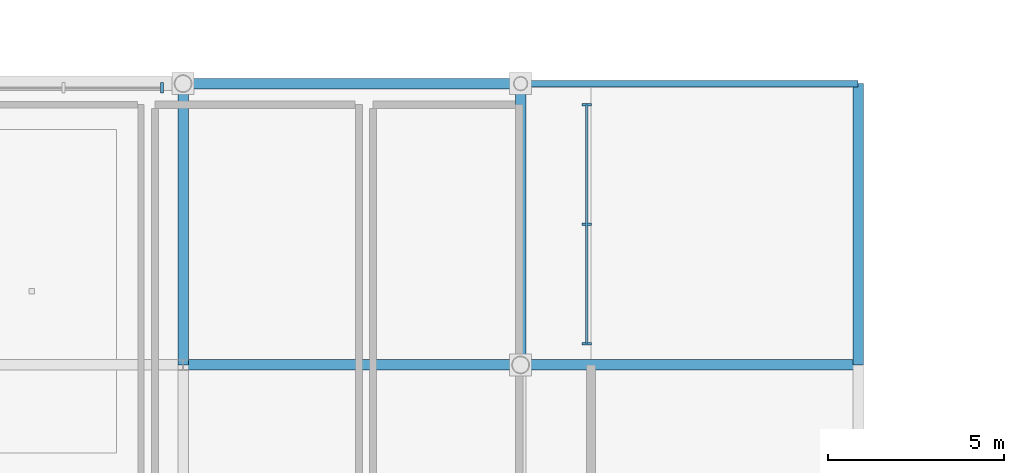
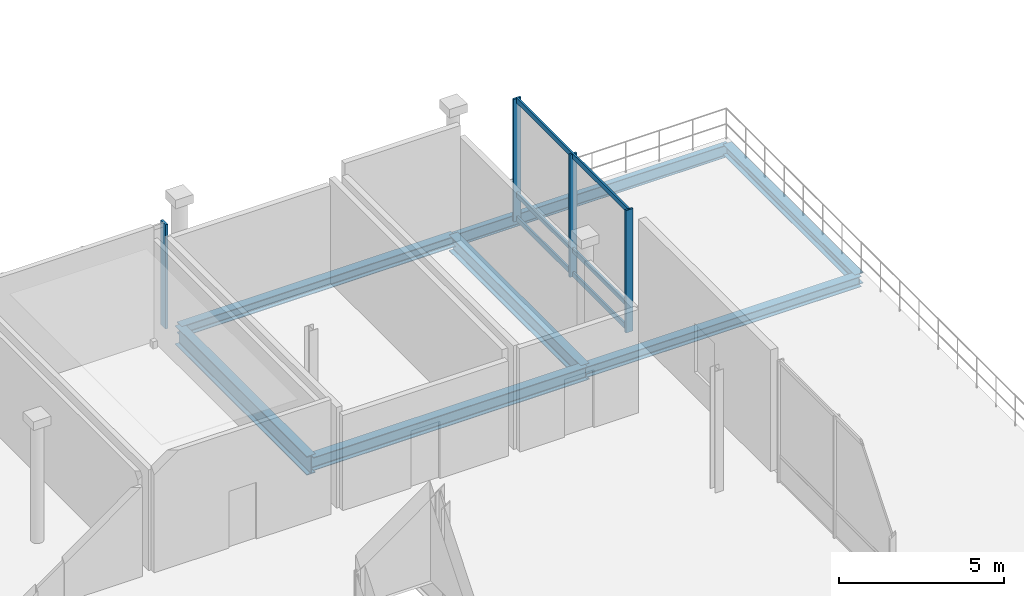
# One storey, part 19 of 36: 7 beams, 7 members, 2 elements without a shape of their own.
"""IFC4 building model written with IfcOpenShell, lengths in metres."""

import ifcopenshell
import ifcopenshell.guid

model = None  # the IFC model being written
_history = None  # IfcOwnerHistory: only IFC2X3 demands one
_inside = {}  # id of a spatial element -> (the spatial element, [elements in it])
_under = {}  # id of a project, library or spatial element -> (it, [spatial elements below it])
_declared = {}  # id of a project -> (the project, [libraries it declares])
_typed = {}  # id of a type object -> (the type object, [elements of that type])
_made_of = {}  # id of a material, layer set ... -> (it, [elements and type objects made of it])


def new_model(schema):
    """Start an empty IFC model of exactly this schema.

    Asked for "IFC4X3", IfcOpenShell would pick the latest addendum, in which some entities
    have other attributes; the version numbers below select the first issue.
    IFC2X3 requires an IfcOwnerHistory on every rooted entity: one is made here for all.
    """
    global model, _history
    if schema == "IFC4X3":
        model = ifcopenshell.file(schema_version=(4, 3, 0, 0))
    else:
        model = ifcopenshell.file(schema=schema)
    _inside.clear()
    _under.clear()
    _declared.clear()
    _typed.clear()
    _made_of.clear()
    _history = None
    if model.schema == "IFC2X3":
        org = make("IfcOrganization", Name="unknown")
        user = make(
            "IfcPersonAndOrganization",
            ThePerson=make("IfcPerson", FamilyName="unknown"),
            TheOrganization=org,
        )
        app = make(
            "IfcApplication",
            ApplicationDeveloper=org,
            Version="unknown",
            ApplicationFullName="unknown",
            ApplicationIdentifier="unknown",
        )
        _history = make(
            "IfcOwnerHistory",
            OwningUser=user,
            OwningApplication=app,
            ChangeAction="ADDED",
            CreationDate=0,
        )
    return model


def make(cls, **values):
    """One entity of the class cls with the attributes given. An attribute that is None is left unset."""
    return model.create_entity(
        cls, **{name: value for name, value in values.items() if value is not None}
    )


def rooted(cls, **values):
    """An entity with a GlobalId (a new one), such as an element, a storey or a relation."""
    return make(cls, GlobalId=ifcopenshell.guid.new(), OwnerHistory=_history, **values)


def si_unit(unit_type, name, prefix=None):
    """IfcSIUnit, for example si_unit("LENGTHUNIT", "METRE", prefix="MILLI")."""
    return make("IfcSIUnit", UnitType=unit_type, Prefix=prefix, Name=name)


def assignment(units):
    """IfcUnitAssignment: the units of a project."""
    return None if units is None else make("IfcUnitAssignment", Units=units)


def point(xyz):
    """IfcCartesianPoint."""
    return None if xyz is None else make("IfcCartesianPoint", Coordinates=xyz)


def direction(xyz):
    """IfcDirection."""
    return None if xyz is None else make("IfcDirection", DirectionRatios=xyz)


def frame(location, z_axis=None, x_axis=None):
    """IfcAxis2Placement3D, a coordinate frame: its origin and axes. An axis left out is left unset."""
    return make(
        "IfcAxis2Placement3D",
        Location=point(location),
        Axis=direction(z_axis),
        RefDirection=direction(x_axis),
    )


def frame_2d(location, x_axis=None):
    """IfcAxis2Placement2D, a coordinate frame in the plane: its origin and x axis."""
    return make(
        "IfcAxis2Placement2D", Location=point(location), RefDirection=direction(x_axis)
    )


def origin():
    """The frame at (0, 0, 0) with its axes left unset."""
    return frame((0.0, 0.0, 0.0))


def origin_2d():
    """The frame at (0, 0) in the plane with its x axis left unset."""
    return frame_2d((0.0, 0.0))


def place(relative_to, where):
    """IfcLocalPlacement: puts the frame where relative to a parent placement (None: the world)."""
    return make(
        "IfcLocalPlacement", PlacementRelTo=relative_to, RelativePlacement=where
    )


def context(
    kind, dimensions, precision=None, world=None, true_north=None, identifier=None
):
    """IfcGeometricRepresentationContext, for example the 3D "Model" context."""
    return make(
        "IfcGeometricRepresentationContext",
        ContextIdentifier=identifier,
        ContextType=kind,
        CoordinateSpaceDimension=dimensions,
        Precision=precision,
        WorldCoordinateSystem=world,
        TrueNorth=true_north,
    )


def subcontext(parent, identifier, kind, view, scale=None):
    """IfcGeometricRepresentationSubContext, for example "Body" below "Model"."""
    return make(
        "IfcGeometricRepresentationSubContext",
        ContextIdentifier=identifier,
        ContextType=kind,
        ParentContext=parent,
        TargetScale=scale,
        TargetView=view,
    )


def project(units=None, contexts=None):
    """IfcProject with its units and contexts."""
    return rooted(
        "IfcProject",
        Name="project",
        RepresentationContexts=contexts,
        UnitsInContext=assignment(units),
    )


def spatial(cls, under=None, at=None, **own):
    """A site, building, storey or space (cls), placed at a placement, below another one or the project."""
    s = rooted(cls, ObjectPlacement=at, **own)
    if under is not None:
        _under.setdefault(under.id(), (under, []))[1].append(s)
    return s


def profile(cls, at=None, kind="AREA", **sizes):
    """A parametric profile (cls). Its sizes go by their IFC names, for example OverallWidth=200.0."""
    return make(cls, ProfileType=kind, Position=at, **sizes)


def rectangle(**sizes):
    """IfcRectangleProfileDef."""
    return profile("IfcRectangleProfileDef", **sizes)


def i_section(**sizes):
    """IfcIShapeProfileDef."""
    return profile("IfcIShapeProfileDef", **sizes)


def extrude(swept, where, along, depth):
    """IfcExtrudedAreaSolid: the profile swept, set in the frame where, extruded along a direction by depth."""
    return make(
        "IfcExtrudedAreaSolid",
        SweptArea=swept,
        Position=where,
        ExtrudedDirection=direction(along),
        Depth=depth,
    )


def shape(context_of_items, identifier, shape_type, items):
    """IfcShapeRepresentation: the items that make up one representation, for example the "Body"."""
    return make(
        "IfcShapeRepresentation",
        ContextOfItems=context_of_items,
        RepresentationIdentifier=identifier,
        RepresentationType=shape_type,
        Items=items,
    )


def material(Name=None, Category=None):
    """IfcMaterial."""
    return make("IfcMaterial", Name=Name, Category=Category)


def material_profile(
    of_material, cross_section, Name=None, Category=None, Priority=None
):
    """IfcMaterialProfile: a cross section and its material."""
    return make(
        "IfcMaterialProfile",
        Name=Name,
        Material=of_material,
        Profile=cross_section,
        Priority=Priority,
        Category=Category,
    )


def profile_set(profiles, Name=None, composite=None):
    """IfcMaterialProfileSet."""
    return make(
        "IfcMaterialProfileSet",
        Name=Name,
        MaterialProfiles=profiles,
        CompositeProfile=composite,
    )


def made_of(thing, what):
    """Note that an element or type object is made of a material, layer set ...; save() writes the relation."""
    if what is not None:
        _made_of.setdefault(what.id(), (what, []))[1].append(thing)
    return thing


def type_object(cls, material=None, **own):
    """A type object (cls), such as IfcWallType, which elements share."""
    return made_of(rooted(cls, **own), material)


def element(
    cls,
    number,
    at=None,
    inside=None,
    cuts=None,
    type_object=None,
    material=None,
    context=None,
    identifier="Body",
    shape_type=None,
    held_by="IfcProductDefinitionShape",
    body=None,
    shapes=None,
    **own,
):
    """One element of the class cls, such as IfcWall. Its Tag is "e" and its number.

    at: its placement. inside: the storey or other place that contains it. cuts: it is an
    opening in that element (IfcRelVoidsElement). A single representation is given by context,
    identifier, shape_type and body (its items); several are given by shapes. held_by: the class
    of the entity that holds the representations. save() writes the other relations.
    """
    e = rooted(cls, Tag="e%d" % number, ObjectPlacement=at, **own)
    if body is not None:
        shapes = [shape(context, identifier, shape_type, body)]
    if shapes is not None:
        e.Representation = make(held_by, Representations=shapes)
    if inside is not None:
        _inside.setdefault(inside.id(), (inside, []))[1].append(e)
    if cuts is not None:
        rooted(
            "IfcRelVoidsElement", RelatingBuildingElement=cuts, RelatedOpeningElement=e
        )
    if type_object is not None:
        _typed.setdefault(type_object.id(), (type_object, []))[1].append(e)
    return made_of(e, material)


def aggregate(whole, parts):
    """IfcRelAggregates: a whole, such as a stair, and the parts it consists of."""
    return rooted("IfcRelAggregates", RelatingObject=whole, RelatedObjects=parts)


def save(model, path):
    """Write the relations noted so far, then the file.

    IfcRelAggregates (storeys below a building ...), IfcRelContainedInSpatialStructure (elements
    in a storey), IfcRelDefinesByType, IfcRelAssociatesMaterial and IfcRelDeclares: one each for
    every whole, place, type object, material and project.
    """
    for whole, parts in _under.values():
        aggregate(whole, parts)
    for where, things in _inside.values():
        rooted(
            "IfcRelContainedInSpatialStructure",
            RelatedElements=things,
            RelatingStructure=where,
        )
    for kind, things in _typed.values():
        rooted("IfcRelDefinesByType", RelatedObjects=things, RelatingType=kind)
    for what, things in _made_of.values():
        rooted("IfcRelAssociatesMaterial", RelatedObjects=things, RelatingMaterial=what)
    for by, libraries in _declared.values():
        rooted("IfcRelDeclares", RelatingContext=by, RelatedDefinitions=libraries)
    model.write(path)


model = new_model("IFC4")

# Units and contexts
model_context = context("Model", 3, precision=1e-05, world=origin(), true_north=direction((0.0, 1.0)))
body_context = subcontext(model_context, "Body", "Model", "MODEL_VIEW")
ifc_project = project(units=[si_unit("LENGTHUNIT", "METRE"), si_unit("AREAUNIT", "SQUARE_METRE"), si_unit("VOLUMEUNIT", "CUBIC_METRE"), si_unit("PLANEANGLEUNIT", "RADIAN"), si_unit("MASSUNIT", "GRAM", prefix="KILO")], contexts=[model_context])

# Site, building, storey
site_placement = place(None, origin())
site = spatial("IfcSite", under=ifc_project, at=site_placement, CompositionType="ELEMENT")
building_placement = place(site_placement, origin())
building = spatial("IfcBuilding", under=site, at=building_placement, Name="Danafjord Basin Convention Centre", CompositionType="ELEMENT")
storey_placement = place(building_placement, frame((0.0, 0.0, 20.39990234375)))
storey = spatial("IfcBuildingStorey", under=building, at=storey_placement, Name="L04", CompositionType="ELEMENT", Elevation=20.39990234375)

# Beams
ifc_material_1 = material(Name="Steel S355", Category="steel")
ifc_material_profile_1 = material_profile(ifc_material_1, i_section(OverallWidth=0.300048828125, OverallDepth=0.389892578125, WebThickness=0.010986328125, FlangeThickness=0.01904296875, FilletRadius=0.027099609375, at=origin_2d()), Name="HEA 400")
ifc_profile_set_1 = profile_set([ifc_material_profile_1], Name="Steel S355")
beam_type_1 = type_object("IfcBeamType", Name="BEAM-BM-HEA400", PredefinedType="BEAM", material=ifc_profile_set_1)
beam_1_placement = place(storey_placement, frame((105.60009765625, 32.0, -0.4208984375), z_axis=(1.0, 0.0, 0.0), x_axis=(0.0, 1.0, 0.0)))
element("IfcBeam", 1, at=beam_1_placement, inside=storey, type_object=beam_type_1, Name="L04 girder BM-HEA400", PredefinedType="BEAM", context=body_context, shape_type="SweptSolid", body=[
    extrude(i_section(OverallWidth=0.300048828125, OverallDepth=0.389892578125, WebThickness=0.010986328125, FlangeThickness=0.01904296875, FilletRadius=0.027099609375, at=origin_2d()), origin(), (0.0, 0.0, 1.0), 9.599853515625),
])
ifc_material_profile_2 = material_profile(ifc_material_1, i_section(OverallWidth=0.300048828125, OverallDepth=0.489990234375, WebThickness=0.011962890625, FlangeThickness=0.02294921875, FilletRadius=0.027099609375, at=origin_2d()), Name="HEA 500")
ifc_profile_set_2 = profile_set([ifc_material_profile_2], Name="Steel S355")
beam_type_2 = type_object("IfcBeamType", Name="BEAM-BM-HEA500", PredefinedType="BEAM", material=ifc_profile_set_2)
beam_2_placement = place(storey_placement, frame((96.0, 32.0, -0.468994140625), z_axis=(1.0, 0.0, 0.0), x_axis=(0.0, 1.0, 0.0)))
element("IfcBeam", 2, at=beam_2_placement, inside=storey, type_object=beam_type_2, Name="L04 girder BM-HEA500", PredefinedType="BEAM", context=body_context, shape_type="SweptSolid", body=[
    extrude(i_section(OverallWidth=0.300048828125, OverallDepth=0.489990234375, WebThickness=0.011962890625, FlangeThickness=0.02294921875, FilletRadius=0.027099609375, at=origin_2d()), origin(), (0.0, 0.0, 1.0), 9.60009765625),
])
ifc_material_profile_3 = material_profile(ifc_material_1, i_section(OverallWidth=0.300048828125, OverallDepth=0.60009765625, WebThickness=0.015380859375, FlangeThickness=0.030029296875, FilletRadius=0.027099609375, at=origin_2d()), Name="HEB 600")
ifc_profile_set_3 = profile_set([ifc_material_profile_3], Name="Steel S355")
beam_type_3 = type_object("IfcBeamType", Name="BEAM-BM-HEB600", PredefinedType="BEAM", material=ifc_profile_set_3)
beam_3_placement = place(storey_placement, frame((105.60009765625, 32.0, -0.52392578125), z_axis=(0.0, 1.0, 0.0), x_axis=(-1.0, 0.0, 0.0)))
element("IfcBeam", 3, at=beam_3_placement, inside=storey, type_object=beam_type_3, Name="L04 transverse girder BM-HEB600", PredefinedType="BEAM", context=body_context, shape_type="SweptSolid", body=[
    extrude(i_section(OverallWidth=0.300048828125, OverallDepth=0.60009765625, WebThickness=0.015380859375, FlangeThickness=0.030029296875, FilletRadius=0.027099609375, at=origin_2d()), origin(), (0.0, 0.0, 1.0), 8.0),
])
ifc_material_profile_4 = material_profile(ifc_material_1, i_section(OverallWidth=0.300048828125, OverallDepth=0.699951171875, WebThickness=0.01708984375, FlangeThickness=0.031982421875, FilletRadius=0.027099609375, at=origin_2d()), Name="HEB 700")
ifc_profile_set_4 = profile_set([ifc_material_profile_4], Name="Steel S355")
beam_type_4 = type_object("IfcBeamType", Name="BEAM-BM-HEB700", PredefinedType="BEAM", material=ifc_profile_set_4)
beam_4_placement = place(storey_placement, frame((96.0, 32.0, -0.573974609375), z_axis=(0.0, 1.0, 0.0), x_axis=(-1.0, 0.0, 0.0)))
element("IfcBeam", 4, at=beam_4_placement, inside=storey, type_object=beam_type_4, Name="L04 transverse girder BM-HEB700", PredefinedType="BEAM", context=body_context, shape_type="SweptSolid", body=[
    extrude(i_section(OverallWidth=0.300048828125, OverallDepth=0.699951171875, WebThickness=0.01708984375, FlangeThickness=0.031982421875, FilletRadius=0.027099609375, at=origin_2d()), origin(), (0.0, 0.0, 1.0), 8.0),
])
ifc_material_profile_5 = material_profile(ifc_material_1, i_section(OverallWidth=0.300048828125, OverallDepth=0.39990234375, WebThickness=0.013427734375, FlangeThickness=0.02392578125, FilletRadius=0.027099609375, at=origin_2d()), Name="HEB 400")
ifc_profile_set_5 = profile_set([ifc_material_profile_5], Name="Steel S355")
beam_type_5 = type_object("IfcBeamType", Name="BEAM-SP-HEB400", PredefinedType="SPANDREL", material=ifc_profile_set_5)
beam_5_placement = place(storey_placement, frame((96.0, 40.0, -0.423828125), z_axis=(1.0, 0.0, 0.0), x_axis=(0.0, 1.0, 0.0)))
element("IfcBeam", 5, at=beam_5_placement, inside=storey, type_object=beam_type_5, Name="L04 girder SP-HEB400", PredefinedType="SPANDREL", context=body_context, shape_type="SweptSolid", body=[
    extrude(i_section(OverallWidth=0.300048828125, OverallDepth=0.39990234375, WebThickness=0.013427734375, FlangeThickness=0.02392578125, FilletRadius=0.027099609375, at=origin_2d()), origin(), (0.0, 0.0, 1.0), 9.60009765625),
])
beam_6_placement = place(storey_placement, frame((115.199951171875, 32.0, -0.42578125), z_axis=(0.0, 1.0, 0.0), x_axis=(-1.0, 0.0, 0.0)))
element("IfcBeam", 6, at=beam_6_placement, inside=storey, type_object=beam_type_5, Name="L04 transverse girder SP-HEB400", PredefinedType="SPANDREL", context=body_context, shape_type="SweptSolid", body=[
    extrude(i_section(OverallWidth=0.300048828125, OverallDepth=0.39990234375, WebThickness=0.013427734375, FlangeThickness=0.02392578125, FilletRadius=0.027099609375, at=origin_2d()), origin(), (0.0, 0.0, 1.0), 8.0),
])
ifc_material_profile_6 = material_profile(ifc_material_1, i_section(OverallWidth=0.18994140625, OverallDepth=0.449951171875, WebThickness=0.009521484375, FlangeThickness=0.0146484375, FilletRadius=0.02099609375, at=origin_2d()), Name="IPE 450")
ifc_profile_set_6 = profile_set([ifc_material_profile_6], Name="Steel S355")
beam_type_6 = type_object("IfcBeamType", Name="BEAM-SP-IPE450", PredefinedType="SPANDREL", material=ifc_profile_set_6)
beam_7_placement = place(storey_placement, frame((105.60009765625, 40.0, -0.450927734375), z_axis=(1.0, 0.0, 0.0), x_axis=(0.0, 1.0, 0.0)))
element("IfcBeam", 7, at=beam_7_placement, inside=storey, type_object=beam_type_6, Name="L04 girder SP-IPE450", PredefinedType="SPANDREL", context=body_context, shape_type="SweptSolid", body=[
    extrude(i_section(OverallWidth=0.18994140625, OverallDepth=0.449951171875, WebThickness=0.009521484375, FlangeThickness=0.0146484375, FilletRadius=0.02099609375, at=origin_2d()), origin(), (0.0, 0.0, 1.0), 9.599853515625),
])

# Curtain wall, members
ifc_material_2 = material(Name="Anodised aluminium and triple glazing", Category="aluminium")
curtain_wall_type = type_object("IfcCurtainWallType", Name="CW-CW-TERR", PredefinedType="NOTDEFINED", material=ifc_material_2)
curtain_wall_1_placement = place(storey_placement, origin())
curtain_wall_1 = element("IfcCurtainWall", 8, at=curtain_wall_1_placement, inside=storey, type_object=curtain_wall_type, Name="L04 CW-TERR unitised curtain wall bay 98", PredefinedType="NOTDEFINED")
ifc_material_3 = material(Name="Anodised aluminium EN AW-6060", Category="aluminium")
ifc_material_profile_7 = material_profile(ifc_material_3, rectangle(XDim=0.070068359375, YDim=0.260009765625, at=origin_2d()), Name="MULL 70x260")
ifc_profile_set_7 = profile_set([ifc_material_profile_7], Name="Anodised aluminium EN AW-6060")
member_type_1 = type_object("IfcMemberType", Name="MEM-ML-260", PredefinedType="MULLION", material=ifc_profile_set_7)
member_1_placement = place(storey_placement, frame((107.47998046875, 32.60009765625, -0.02490234375), z_axis=(0.0, 0.0, 1.0), x_axis=(0.0, 1.0, 0.0)))
member_1 = element("IfcMember", 9, at=member_1_placement, type_object=member_type_1, Name="CW-L04-098 mullion 1", PredefinedType="MULLION", context=body_context, shape_type="SweptSolid", body=[
    extrude(rectangle(XDim=0.070068359375, YDim=0.260009765625, at=origin_2d()), origin(), (0.0, 0.0, 1.0), 4.534912109375),
])
member_2_placement = place(storey_placement, frame((107.47998046875, 36.0, -0.02490234375), z_axis=(0.0, 0.0, 1.0), x_axis=(0.0, 1.0, 0.0)))
member_2 = element("IfcMember", 10, at=member_2_placement, type_object=member_type_1, Name="CW-L04-098 mullion 2", PredefinedType="MULLION", context=body_context, shape_type="SweptSolid", body=[
    extrude(rectangle(XDim=0.070068359375, YDim=0.260009765625, at=origin_2d()), origin(), (0.0, 0.0, 1.0), 4.534912109375),
])
member_3_placement = place(storey_placement, frame((107.47998046875, 39.39990234375, -0.02490234375), z_axis=(0.0, 0.0, 1.0), x_axis=(0.0, 1.0, 0.0)))
member_3 = element("IfcMember", 11, at=member_3_placement, type_object=member_type_1, Name="CW-L04-098 mullion 3", PredefinedType="MULLION", context=body_context, shape_type="SweptSolid", body=[
    extrude(rectangle(XDim=0.070068359375, YDim=0.260009765625, at=origin_2d()), origin(), (0.0, 0.0, 1.0), 4.534912109375),
])

# Curtain wall, member
curtain_wall_2_placement = place(storey_placement, origin())
curtain_wall_2 = element("IfcCurtainWall", 12, at=curtain_wall_2_placement, inside=storey, type_object=curtain_wall_type, Name="L04 CW-TERR unitised curtain wall bay 94", PredefinedType="NOTDEFINED")
ifc_material_profile_8 = material_profile(ifc_material_3, rectangle(XDim=0.080078125, YDim=0.300048828125, at=origin_2d()), Name="MULL 80x300")
ifc_profile_set_8 = profile_set([ifc_material_profile_8], Name="Anodised aluminium EN AW-6060")
member_type_2 = type_object("IfcMemberType", Name="MEM-ML-300", PredefinedType="MULLION", material=ifc_profile_set_8)
member_4_placement = place(storey_placement, frame((95.39990234375, 39.8798828125, -0.02490234375), z_axis=(0.0, 0.0, 1.0), x_axis=(-1.0, 0.0, 0.0)))
member_4 = element("IfcMember", 13, at=member_4_placement, type_object=member_type_2, Name="CW-L04-094 mullion 1", PredefinedType="MULLION", context=body_context, shape_type="SweptSolid", body=[
    extrude(rectangle(XDim=0.080078125, YDim=0.300048828125, at=origin_2d()), origin(), (0.0, 0.0, 1.0), 3.864990234375),
])
aggregate(curtain_wall_2, [member_4])

# Member
ifc_material_profile_9 = material_profile(ifc_material_3, rectangle(XDim=0.06494140625, YDim=0.18994140625, at=origin_2d()), Name="TRAN 65x190")
ifc_profile_set_9 = profile_set([ifc_material_profile_9], Name="Anodised aluminium EN AW-6060")
member_type_3 = type_object("IfcMemberType", Name="MEM-TR-190", PredefinedType="USERDEFINED", material=ifc_profile_set_9)
member_5_placement = place(storey_placement, frame((107.47998046875, 32.60009765625, 0.06005859375), z_axis=(0.0, 1.0, 0.0), x_axis=(-1.0, 0.0, 0.0)))
member_5 = element("IfcMember", 14, at=member_5_placement, type_object=member_type_3, Name="CW-L04-098 transom 1", ObjectType="TRANSOM", PredefinedType="USERDEFINED", context=body_context, shape_type="SweptSolid", body=[
    extrude(rectangle(XDim=0.06494140625, YDim=0.18994140625, at=origin_2d()), origin(), (0.0, 0.0, 1.0), 6.7998046875),
])

member_6_placement = place(storey_placement, frame((107.47998046875, 32.60009765625, 0.9501953125), z_axis=(0.0, 1.0, 0.0), x_axis=(-1.0, 0.0, 0.0)))
member_6 = element("IfcMember", 15, at=member_6_placement, type_object=member_type_3, Name="CW-L04-098 transom 2", ObjectType="TRANSOM", PredefinedType="USERDEFINED", context=body_context, shape_type="SweptSolid", body=[
    extrude(rectangle(XDim=0.06494140625, YDim=0.18994140625, at=origin_2d()), origin(), (0.0, 0.0, 1.0), 6.7998046875),
])

member_7_placement = place(storey_placement, frame((107.47998046875, 32.60009765625, 4.440185546875), z_axis=(0.0, 1.0, 0.0), x_axis=(-1.0, 0.0, 0.0)))
member_7 = element("IfcMember", 16, at=member_7_placement, type_object=member_type_3, Name="CW-L04-098 transom 3", ObjectType="TRANSOM", PredefinedType="USERDEFINED", context=body_context, shape_type="SweptSolid", body=[
    extrude(rectangle(XDim=0.06494140625, YDim=0.18994140625, at=origin_2d()), origin(), (0.0, 0.0, 1.0), 6.7998046875),
])

aggregate(curtain_wall_1, [member_1, member_2, member_3, member_5, member_6, member_7])

save(model, "model.ifc")
